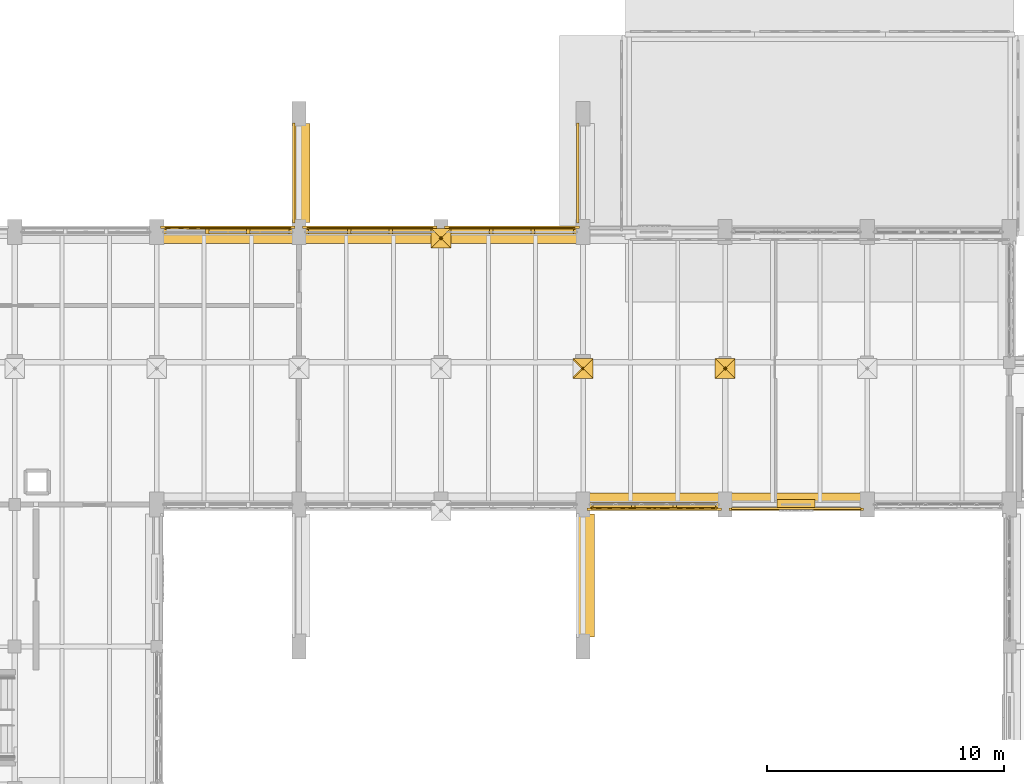
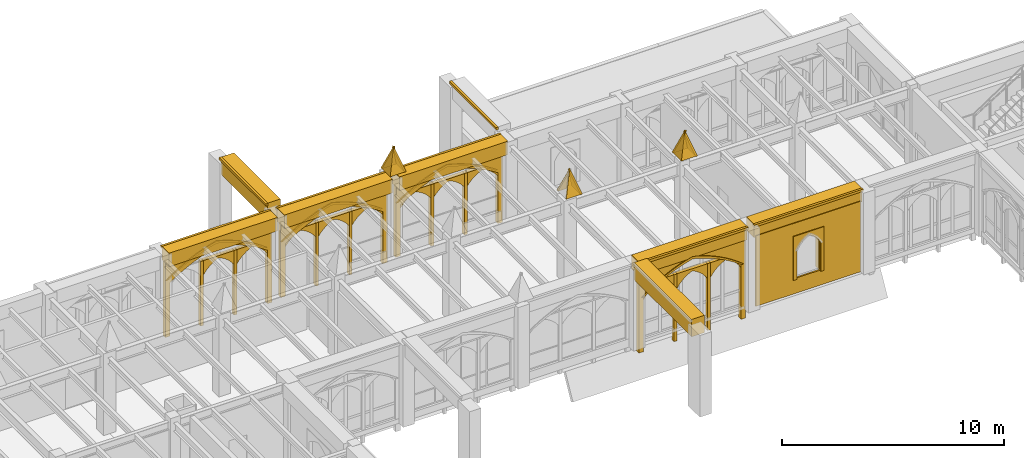
# One storey, part 132 of 143: 54 coverings.
"""IFC4 building model written with IfcOpenShell, lengths in metres."""

from ifc_helpers import new_model, si_unit, direction, frame, origin, origin_2d, place, context, subcontext, project, spatial, polyline, rectangle, outline, extrude, material, type_object, element, save


model = new_model("IFC4")

# Units and contexts
model_context = context("Model", 3, precision=1e-05, world=origin(), true_north=direction((0.0, 1.0)))
body_context = subcontext(model_context, "Body", "Model", "MODEL_VIEW")
ifc_project = project(units=[si_unit("LENGTHUNIT", "METRE"), si_unit("AREAUNIT", "SQUARE_METRE"), si_unit("VOLUMEUNIT", "CUBIC_METRE"), si_unit("PLANEANGLEUNIT", "RADIAN"), si_unit("MASSUNIT", "GRAM", prefix="KILO")], contexts=[model_context])

# Site, building, storey
site_placement = place(None, origin())
site = spatial("IfcSite", under=ifc_project, at=site_placement, CompositionType="ELEMENT")
building_placement = place(site_placement, origin())
building = spatial("IfcBuilding", under=site, at=building_placement, Name="Cumevento Cable Car Station", CompositionType="ELEMENT")
storey_placement = place(building_placement, frame((0.0, 0.0, 9.0)))
storey = spatial("IfcBuildingStorey", under=building, at=storey_placement, Name="L03", CompositionType="ELEMENT", Elevation=9.0)

# Coverings
ifc_material = material(Name="Gnaisse Facoidal Stone Ashlar 85 MPa", Category="masonry")
covering_type = type_object("IfcCoveringType", Name="Gnaisse Ashlar Cladding CV-CL01", PredefinedType="CLADDING", material=ifc_material)
for number, where, z_axis, x_axis, name in (
    (1, (93.580078125, 56.659912109375, 4.8701171875), (0.0, 0.951573760476, 0.30742052367), (1.0, 0.0, 0.0), "Gothic Buttress Pinnacle Spire Facet 1 bt:94.0:56.5"),
    (2, (94.419921875, 56.659912109375, 4.8701171875), (0.951573760476, 0.0, 0.30742052367), (0.0, -1.0, 0.0), "Gothic Buttress Pinnacle Spire Facet 2 bt:94.0:56.5"),
    (3, (94.419921875, 55.820068359375, 4.8701171875), (0.0, -0.951573760476, 0.30742052367), (-1.0, 0.0, 0.0), "Gothic Buttress Pinnacle Spire Facet 3 bt:94.0:56.5"),
    (4, (93.580078125, 55.820068359375, 4.8701171875), (-0.951573760476, 0.0, 0.30742052367), (0.0, 1.0, 0.0), "Gothic Buttress Pinnacle Spire Facet 4 bt:94.0:56.5"),
    (5, (99.580078125, 51.159912109375, 4.8701171875), (0.0, 0.951573760476, 0.30742052367), (1.0, 0.0, 0.0), "Gothic Buttress Pinnacle Spire Facet 1 bt:100.0:51.0"),
    (6, (100.419921875, 51.159912109375, 4.8701171875), (0.951573760476, 0.0, 0.30742052367), (0.0, -1.0, 0.0), "Gothic Buttress Pinnacle Spire Facet 2 bt:100.0:51.0"),
    (7, (100.419921875, 50.320068359375, 4.8701171875), (0.0, -0.951573760476, 0.30742052367), (-1.0, 0.0, 0.0), "Gothic Buttress Pinnacle Spire Facet 3 bt:100.0:51.0"),
    (8, (105.580078125, 51.159912109375, 4.8701171875), (0.0, 0.951573760476, 0.30742052367), (1.0, 0.0, 0.0), "Gothic Buttress Pinnacle Spire Facet 1 bt:106.0:51.0"),
    (9, (106.419921875, 51.159912109375, 4.8701171875), (0.951573760476, 0.0, 0.30742052367), (0.0, -1.0, 0.0), "Gothic Buttress Pinnacle Spire Facet 2 bt:106.0:51.0"),
    (10, (106.419921875, 50.320068359375, 4.8701171875), (0.0, -0.951573760476, 0.30742052367), (-1.0, 0.0, 0.0), "Gothic Buttress Pinnacle Spire Facet 3 bt:106.0:51.0"),
    (11, (105.580078125, 50.320068359375, 4.8701171875), (-0.951573760476, 0.0, 0.30742052367), (0.0, 1.0, 0.0), "Gothic Buttress Pinnacle Spire Facet 4 bt:106.0:51.0"),
):
    element("IfcCovering", number, at=place(storey_placement, frame(where, z_axis=z_axis, x_axis=x_axis)), inside=storey, type_object=covering_type, Name=name, PredefinedType="CLADDING", context=body_context, shape_type="SweptSolid", body=[
        extrude(outline(polyline([(0.0, 0.0), (0.83984375, 0.0), (0.419921875, -1.3659526370817139), (0.0, 0.0)])), origin(), (0.0, 0.0, -1.0), 0.0849609375),
    ])
covering_1_placement = place(storey_placement, frame((85.0, 56.35009765625, 3.784912109375), z_axis=(0.0, 0.0, 1.0), x_axis=(1.0, 0.0, 0.0)))
element("IfcCovering", 12, at=covering_1_placement, inside=storey, type_object=covering_type, Name="Gothic Stone Spandrel Stringcourse sc:0646", PredefinedType="CLADDING", context=body_context, shape_type="SweptSolid", body=[
    extrude(rectangle(XDim=5.639892578125, YDim=0.659912109375, at=origin_2d()), origin(), (0.0, 0.0, 1.0), 0.7470703125),
])
covering_2_placement = place(storey_placement, frame((85.0, 56.70751953125, 4.402099609375), z_axis=(0.0, 0.0, 1.0), x_axis=(1.0, 0.0, 0.0)))
element("IfcCovering", 13, at=covering_2_placement, inside=storey, type_object=covering_type, Name="Gothic Cornice Dripstone Lip sc:0646", PredefinedType="CLADDING", context=body_context, shape_type="SweptSolid", body=[
    extrude(rectangle(XDim=5.679931640625, YDim=0.114990234375, at=origin_2d()), origin(), (0.0, 0.0, 1.0), 0.1298828125),
])
covering_3_placement = place(storey_placement, frame((103.0, 45.14990234375, 3.784912109375), z_axis=(0.0, 0.0, 1.0), x_axis=(-1.0, 0.0, 0.0)))
element("IfcCovering", 14, at=covering_3_placement, inside=storey, type_object=covering_type, Name="Gothic Stone Spandrel Stringcourse sc:0649", PredefinedType="CLADDING", context=body_context, shape_type="SweptSolid", body=[
    extrude(rectangle(XDim=5.639892578125, YDim=0.659912109375, at=origin_2d()), origin(), (0.0, 0.0, 1.0), 0.7470703125),
])
covering_4_placement = place(storey_placement, frame((103.0, 44.79248046875, 4.402099609375), z_axis=(0.0, 0.0, 1.0), x_axis=(-1.0, 0.0, 0.0)))
element("IfcCovering", 15, at=covering_4_placement, inside=storey, type_object=covering_type, Name="Gothic Cornice Dripstone Lip sc:0649", PredefinedType="CLADDING", context=body_context, shape_type="SweptSolid", body=[
    extrude(rectangle(XDim=5.679931640625, YDim=0.114990234375, at=origin_2d()), origin(), (0.0, 0.0, 1.0), 0.1298828125),
])
covering_5_placement = place(storey_placement, frame((109.0, 45.14990234375, 3.784912109375), z_axis=(0.0, 0.0, 1.0), x_axis=(-1.0, 0.0, 0.0)))
element("IfcCovering", 16, at=covering_5_placement, inside=storey, type_object=covering_type, Name="Gothic Stone Spandrel Stringcourse sc:0650", PredefinedType="CLADDING", context=body_context, shape_type="SweptSolid", body=[
    extrude(rectangle(XDim=5.639892578125, YDim=0.659912109375, at=origin_2d()), origin(), (0.0, 0.0, 1.0), 0.7470703125),
])
covering_6_placement = place(storey_placement, frame((109.0, 44.79248046875, 4.402099609375), z_axis=(0.0, 0.0, 1.0), x_axis=(-1.0, 0.0, 0.0)))
element("IfcCovering", 17, at=covering_6_placement, inside=storey, type_object=covering_type, Name="Gothic Cornice Dripstone Lip sc:0650", PredefinedType="CLADDING", context=body_context, shape_type="SweptSolid", body=[
    extrude(rectangle(XDim=5.679931640625, YDim=0.114990234375, at=origin_2d()), origin(), (0.0, 0.0, 1.0), 0.1298828125),
])
covering_7_placement = place(storey_placement, frame((91.0, 56.35009765625, 3.784912109375), z_axis=(0.0, 0.0, 1.0), x_axis=(1.0, 0.0, 0.0)))
element("IfcCovering", 18, at=covering_7_placement, inside=storey, type_object=covering_type, Name="Gothic Stone Spandrel Stringcourse sc:0652", PredefinedType="CLADDING", context=body_context, shape_type="SweptSolid", body=[
    extrude(rectangle(XDim=5.639892578125, YDim=0.659912109375, at=origin_2d()), origin(), (0.0, 0.0, 1.0), 0.7470703125),
])
covering_8_placement = place(storey_placement, frame((91.0, 56.70751953125, 4.402099609375), z_axis=(0.0, 0.0, 1.0), x_axis=(1.0, 0.0, 0.0)))
element("IfcCovering", 19, at=covering_8_placement, inside=storey, type_object=covering_type, Name="Gothic Cornice Dripstone Lip sc:0652", PredefinedType="CLADDING", context=body_context, shape_type="SweptSolid", body=[
    extrude(rectangle(XDim=5.679931640625, YDim=0.114990234375, at=origin_2d()), origin(), (0.0, 0.0, 1.0), 0.1298828125),
])
covering_9_placement = place(storey_placement, frame((97.0, 56.35009765625, 3.784912109375), z_axis=(0.0, 0.0, 1.0), x_axis=(1.0, 0.0, 0.0)))
element("IfcCovering", 20, at=covering_9_placement, inside=storey, type_object=covering_type, Name="Gothic Stone Spandrel Stringcourse sc:0653", PredefinedType="CLADDING", context=body_context, shape_type="SweptSolid", body=[
    extrude(rectangle(XDim=5.639892578125, YDim=0.659912109375, at=origin_2d()), origin(), (0.0, 0.0, 1.0), 0.7470703125),
])
covering_10_placement = place(storey_placement, frame((97.0, 56.70751953125, 4.402099609375), z_axis=(0.0, 0.0, 1.0), x_axis=(1.0, 0.0, 0.0)))
element("IfcCovering", 21, at=covering_10_placement, inside=storey, type_object=covering_type, Name="Gothic Cornice Dripstone Lip sc:0653", PredefinedType="CLADDING", context=body_context, shape_type="SweptSolid", body=[
    extrude(rectangle(XDim=5.679931640625, YDim=0.114990234375, at=origin_2d()), origin(), (0.0, 0.0, 1.0), 0.1298828125),
])
covering_11_placement = place(storey_placement, frame((88.14306640625, 59.0, 3.83203125), z_axis=(0.0, 0.0, 1.0), x_axis=(0.0, 1.0, 0.0)))
element("IfcCovering", 22, at=covering_11_placement, inside=storey, type_object=covering_type, Name="Gothic Stone Spandrel Stringcourse sc:0858", PredefinedType="CLADDING", context=body_context, shape_type="SweptSolid", body=[
    extrude(rectangle(XDim=4.18994140625, YDim=0.674072265625, at=origin_2d()), origin(), (0.0, 0.0, 1.0), 0.947998046875),
])
for number, where, z_axis, x_axis, name in (
    (23, (87.778564453125, 59.0, 4.650146484375), (0.0, 0.0, 1.0), (0.0, 1.0, 0.0), "Gothic Cornice Dripstone Lip sc:0858"),
    (24, (99.778564453125, 59.0, 4.650146484375), (0.0, 0.0, 1.0), (0.0, 1.0, 0.0), "Gothic Cornice Dripstone Lip sc:0859"),
):
    element("IfcCovering", number, at=place(storey_placement, frame(where, z_axis=z_axis, x_axis=x_axis)), inside=storey, type_object=covering_type, Name=name, PredefinedType="CLADDING", context=body_context, shape_type="SweptSolid", body=[
        extrude(rectangle(XDim=4.22998046875, YDim=0.114990234375, at=origin_2d()), origin(), (0.0, 0.0, 1.0), 0.1298828125),
    ])
covering_12_placement = place(storey_placement, frame((100.14306640625, 42.0, 3.83203125), z_axis=(0.0, 0.0, 1.0), x_axis=(0.0, 1.0, 0.0)))
element("IfcCovering", 25, at=covering_12_placement, inside=storey, type_object=covering_type, Name="Gothic Stone Spandrel Stringcourse sc:0869", PredefinedType="CLADDING", context=body_context, shape_type="SweptSolid", body=[
    extrude(rectangle(XDim=5.18994140625, YDim=0.674072265625, at=origin_2d()), origin(), (0.0, 0.0, 1.0), 0.947998046875),
])
placement_1 = place(storey_placement, frame((82.300048828125, 56.5, -0.3701171875), z_axis=(0.0, 0.0, 1.0), x_axis=(1.0, 0.0, 0.0)))
element("IfcCovering", 26, at=placement_1, inside=storey, type_object=covering_type, Name="Gothic Ogival Pointed-Arch Stone Spandrel cw_ogival:0107", PredefinedType="CLADDING", context=body_context, shape_type="SweptSolid", body=[
    extrude(outline(polyline([(-0.080078125, 0.0), (-0.080078125, 4.294921875), (5.47998046875, 4.294921875), (5.47998046875, 0.0), (5.239990234375, 0.0), (5.239990234375, 2.9423828125), (4.94970703125, 3.1396484375), (4.650390625, 3.32275390625), (4.342529296875, 3.49072265625), (4.026611328125, 3.6435546875), (3.70361328125, 3.780517578125), (3.374267578125, 3.90185546875), (3.03955078125, 4.006591796875), (2.699951171875, 4.094970703125), (2.3603515625, 4.006591796875), (2.025634765625, 3.90185546875), (1.6962890625, 3.780517578125), (1.373291015625, 3.6435546875), (1.057373046875, 3.49072265625), (0.74951171875, 3.32275390625), (0.4501953125, 3.1396484375), (0.159912109375, 2.9423828125), (0.159912109375, 0.0), (-0.080078125, 0.0)])), frame((0.0, 0.139892578125, 0.0), z_axis=(0.0, -1.0, 0.0), x_axis=(1.0, 0.0, 0.0)), (0.0, 0.0, 1.0), 0.219970703125),
])
covering_14_placement = place(storey_placement, frame((82.300048828125, 56.5, 2.572509765625), z_axis=(0.0, 0.0, 1.0), x_axis=(1.0, 0.0, 0.0)))
element("IfcCovering", 27, at=covering_14_placement, inside=storey, type_object=covering_type, Name="Gothic Pointed Archivolt Hood Moulding cw_ogival:0107", PredefinedType="CLADDING", context=body_context, shape_type="SweptSolid", body=[
    extrude(outline(polyline([(0.159912109375, 0.0), (0.4501953125, 0.197265625), (0.74951171875, 0.38037109375), (1.057373046875, 0.54833984375), (1.373291015625, 0.701171875), (1.6962890625, 0.838134765625), (2.025634765625, 0.95947265625), (2.3603515625, 1.064208984375), (2.699951171875, 1.152587890625), (3.03955078125, 1.064208984375), (3.374267578125, 0.95947265625), (3.70361328125, 0.838134765625), (4.026611328125, 0.701171875), (4.342529296875, 0.54833984375), (4.650390625, 0.38037109375), (4.94970703125, 0.197265625), (5.239990234375, 0.0), (5.35009765625, 0.0), (5.05126953125, 0.22021484375), (4.741455078125, 0.424560546875), (4.421630859375, 0.612548828125), (4.09228515625, 0.78369140625), (3.754638671875, 0.937255859375), (3.409423828125, 1.0732421875), (3.057373046875, 1.19091796875), (2.699951171875, 1.2900390625), (2.342529296875, 1.19091796875), (1.990478515625, 1.0732421875), (1.645263671875, 0.937255859375), (1.3076171875, 0.78369140625), (0.978271484375, 0.612548828125), (0.658447265625, 0.424560546875), (0.3486328125, 0.22021484375), (0.050048828125, 0.0), (0.159912109375, 0.0)])), frame((0.0, 0.181884765625, 0.0), z_axis=(0.0, -1.0, 0.0), x_axis=(1.0, 0.0, 0.0)), (0.0, 0.0, 1.0), 0.06689453125),
])
element("IfcCovering", 28, at=placement_1, inside=storey, type_object=covering_type, Name="Gothic Bifora Stone Colonnette cw_ogival:0107 #1", PredefinedType="CLADDING", context=body_context, shape_type="SweptSolid", body=[
    extrude(outline(polyline([(1.75341796875, -0.02001953125), (1.9033203125, -0.02001953125), (1.9033203125, 3.541748046875), (1.75341796875, 3.541748046875), (1.75341796875, -0.02001953125)])), frame((0.0, 0.1279296875, 0.0), z_axis=(0.0, -1.0, 0.0), x_axis=(1.0, 0.0, 0.0)), (0.0, 0.0, 1.0), 0.205078125),
])
element("IfcCovering", 29, at=placement_1, inside=storey, type_object=covering_type, Name="Gothic Bifora Stone Colonnette cw_ogival:0107 #2", PredefinedType="CLADDING", context=body_context, shape_type="SweptSolid", body=[
    extrude(outline(polyline([(3.49658203125, -0.02001953125), (3.646728515625, -0.02001953125), (3.646728515625, 3.541748046875), (3.49658203125, 3.541748046875), (3.49658203125, -0.02001953125)])), frame((0.0, 0.1279296875, 0.0), z_axis=(0.0, -1.0, 0.0), x_axis=(1.0, 0.0, 0.0)), (0.0, 0.0, 1.0), 0.205078125),
])
for number, where, z_axis, x_axis, name in (
    (30, (84.17333984375, 56.5, 2.392333984375), (0.0, 0.0, 1.0), (1.0, 0.0, 0.0), "Gothic Ogival Pointed-Arch Stone Spandrel cw_ogival:0107:sub:1"),
    (31, (85.916748046875, 56.5, 2.392333984375), (0.0, 0.0, 1.0), (1.0, 0.0, 0.0), "Gothic Ogival Pointed-Arch Stone Spandrel cw_ogival:0107:sub:2"),
):
    element("IfcCovering", number, at=place(storey_placement, frame(where, z_axis=z_axis, x_axis=x_axis)), inside=storey, type_object=covering_type, Name=name, PredefinedType="CLADDING", context=body_context, shape_type="SweptSolid", body=[
        extrude(outline(polyline([(-0.02001953125, 0.0), (-0.02001953125, 0.779296875), (1.67333984375, 0.779296875), (1.67333984375, 0.0), (1.61328125, 0.0), (1.51416015625, 0.14306640625), (1.400390625, 0.274658203125), (1.2734375, 0.393310546875), (1.13427734375, 0.497802734375), (0.98486328125, 0.5869140625), (0.82666015625, 0.659423828125), (0.66845703125, 0.5869140625), (0.51904296875, 0.497802734375), (0.3798828125, 0.393310546875), (0.2529296875, 0.274658203125), (0.13916015625, 0.14306640625), (0.0400390625, 0.0), (-0.02001953125, 0.0)])), frame((0.0, 0.1240234375, 0.0), z_axis=(0.0, -1.0, 0.0), x_axis=(1.0, 0.0, 0.0)), (0.0, 0.0, 1.0), 0.199951171875),
    ])
placement_2 = place(storey_placement, frame((88.300048828125, 56.5, -0.27001953125), z_axis=(0.0, 0.0, 1.0), x_axis=(1.0, 0.0, 0.0)))
element("IfcCovering", 32, at=placement_2, inside=storey, type_object=covering_type, Name="Gothic Ogival Pointed-Arch Stone Spandrel cw_ogival:0109", PredefinedType="CLADDING", context=body_context, shape_type="SweptSolid", body=[
    extrude(outline(polyline([(-0.080078125, 0.0), (-0.080078125, 4.195068359375), (5.47998046875, 4.195068359375), (5.47998046875, 0.0), (5.239990234375, 0.0), (5.239990234375, 2.87841796875), (4.9482421875, 3.06982421875), (4.647705078125, 3.247314453125), (4.339111328125, 3.41015625), (4.023193359375, 3.55810546875), (3.70068359375, 3.69091796875), (3.3720703125, 3.80810546875), (3.0380859375, 3.90966796875), (2.699951171875, 3.9951171875), (2.36181640625, 3.90966796875), (2.02783203125, 3.80810546875), (1.69921875, 3.69091796875), (1.376708984375, 3.55810546875), (1.060791015625, 3.41015625), (0.752197265625, 3.247314453125), (0.45166015625, 3.06982421875), (0.159912109375, 2.87841796875), (0.159912109375, 0.0), (-0.080078125, 0.0)])), frame((0.0, 0.139892578125, 0.0), z_axis=(0.0, -1.0, 0.0), x_axis=(1.0, 0.0, 0.0)), (0.0, 0.0, 1.0), 0.219970703125),
])
covering_18_placement = place(storey_placement, frame((88.300048828125, 56.5, 2.6083984375), z_axis=(0.0, 0.0, 1.0), x_axis=(1.0, 0.0, 0.0)))
element("IfcCovering", 33, at=covering_18_placement, inside=storey, type_object=covering_type, Name="Gothic Pointed Archivolt Hood Moulding cw_ogival:0109", PredefinedType="CLADDING", context=body_context, shape_type="SweptSolid", body=[
    extrude(outline(polyline([(0.159912109375, 0.0), (0.45166015625, 0.19140625), (0.752197265625, 0.368896484375), (1.060791015625, 0.53173828125), (1.376708984375, 0.6796875), (1.69921875, 0.8125), (2.02783203125, 0.9296875), (2.36181640625, 1.03125), (2.699951171875, 1.11669921875), (3.0380859375, 1.03125), (3.3720703125, 0.9296875), (3.70068359375, 0.8125), (4.023193359375, 0.6796875), (4.339111328125, 0.53173828125), (4.647705078125, 0.368896484375), (4.9482421875, 0.19140625), (5.239990234375, 0.0), (5.35009765625, 0.0), (5.049560546875, 0.21435546875), (4.73876953125, 0.4130859375), (4.418212890625, 0.595947265625), (4.0888671875, 0.76220703125), (3.75146484375, 0.91162109375), (3.406982421875, 1.04345703125), (3.05615234375, 1.15771484375), (2.699951171875, 1.254150390625), (2.34375, 1.15771484375), (1.992919921875, 1.04345703125), (1.6484375, 0.91162109375), (1.31103515625, 0.76220703125), (0.981689453125, 0.595947265625), (0.6611328125, 0.4130859375), (0.350341796875, 0.21435546875), (0.050048828125, 0.0), (0.159912109375, 0.0)])), frame((0.0, 0.181884765625, 0.0), z_axis=(0.0, -1.0, 0.0), x_axis=(1.0, 0.0, 0.0)), (0.0, 0.0, 1.0), 0.06689453125),
])
element("IfcCovering", 34, at=placement_2, inside=storey, type_object=covering_type, Name="Gothic Bifora Stone Colonnette cw_ogival:0109 #1", PredefinedType="CLADDING", context=body_context, shape_type="SweptSolid", body=[
    extrude(outline(polyline([(1.75341796875, -0.02001953125), (1.9033203125, -0.02001953125), (1.9033203125, 3.458984375), (1.75341796875, 3.458984375), (1.75341796875, -0.02001953125)])), frame((0.0, 0.1279296875, 0.0), z_axis=(0.0, -1.0, 0.0), x_axis=(1.0, 0.0, 0.0)), (0.0, 0.0, 1.0), 0.205078125),
])
element("IfcCovering", 35, at=placement_2, inside=storey, type_object=covering_type, Name="Gothic Bifora Stone Colonnette cw_ogival:0109 #2", PredefinedType="CLADDING", context=body_context, shape_type="SweptSolid", body=[
    extrude(outline(polyline([(3.49658203125, -0.02001953125), (3.646728515625, -0.02001953125), (3.646728515625, 3.458984375), (3.49658203125, 3.458984375), (3.49658203125, -0.02001953125)])), frame((0.0, 0.1279296875, 0.0), z_axis=(0.0, -1.0, 0.0), x_axis=(1.0, 0.0, 0.0)), (0.0, 0.0, 1.0), 0.205078125),
])
for number, where, z_axis, x_axis, name in (
    (36, (88.429931640625, 56.5, 2.428466796875), (0.0, 0.0, 1.0), (1.0, 0.0, 0.0), "Gothic Ogival Pointed-Arch Stone Spandrel cw_ogival:0109:sub:0"),
    (37, (90.17333984375, 56.5, 2.428466796875), (0.0, 0.0, 1.0), (1.0, 0.0, 0.0), "Gothic Ogival Pointed-Arch Stone Spandrel cw_ogival:0109:sub:1"),
    (38, (91.916748046875, 56.5, 2.428466796875), (0.0, 0.0, 1.0), (1.0, 0.0, 0.0), "Gothic Ogival Pointed-Arch Stone Spandrel cw_ogival:0109:sub:2"),
):
    element("IfcCovering", number, at=place(storey_placement, frame(where, z_axis=z_axis, x_axis=x_axis)), inside=storey, type_object=covering_type, Name=name, PredefinedType="CLADDING", context=body_context, shape_type="SweptSolid", body=[
        extrude(outline(polyline([(-0.02001953125, 0.0), (-0.02001953125, 0.760498046875), (1.67333984375, 0.760498046875), (1.67333984375, 0.0), (1.61328125, 0.0), (1.5126953125, 0.139404296875), (1.398193359375, 0.267333984375), (1.270751953125, 0.382568359375), (1.132080078125, 0.484130859375), (0.9833984375, 0.5703125), (0.82666015625, 0.640625), (0.669921875, 0.5703125), (0.521240234375, 0.484130859375), (0.382568359375, 0.382568359375), (0.255126953125, 0.267333984375), (0.140625, 0.139404296875), (0.0400390625, 0.0), (-0.02001953125, 0.0)])), frame((0.0, 0.1240234375, 0.0), z_axis=(0.0, -1.0, 0.0), x_axis=(1.0, 0.0, 0.0)), (0.0, 0.0, 1.0), 0.199951171875),
    ])
placement_3 = place(storey_placement, frame((94.300048828125, 56.5, -0.159912109375), z_axis=(0.0, 0.0, 1.0), x_axis=(1.0, 0.0, 0.0)))
element("IfcCovering", 39, at=placement_3, inside=storey, type_object=covering_type, Name="Gothic Ogival Pointed-Arch Stone Spandrel cw_ogival:0111", PredefinedType="CLADDING", context=body_context, shape_type="SweptSolid", body=[
    extrude(outline(polyline([(-0.080078125, 0.0), (-0.080078125, 4.0849609375), (5.47998046875, 4.0849609375), (5.47998046875, 0.0), (5.239990234375, 0.0), (5.239990234375, 2.80810546875), (4.946533203125, 2.992919921875), (4.64501953125, 3.164306640625), (4.335693359375, 3.3212890625), (4.019775390625, 3.464111328125), (3.697509765625, 3.591796875), (3.36962890625, 3.705078125), (3.036865234375, 3.802490234375), (2.699951171875, 3.885009765625), (2.363037109375, 3.802490234375), (2.0302734375, 3.705078125), (1.702392578125, 3.591796875), (1.380126953125, 3.464111328125), (1.064208984375, 3.3212890625), (0.7548828125, 3.164306640625), (0.453369140625, 2.992919921875), (0.159912109375, 2.80810546875), (0.159912109375, 0.0), (-0.080078125, 0.0)])), frame((0.0, 0.139892578125, 0.0), z_axis=(0.0, -1.0, 0.0), x_axis=(1.0, 0.0, 0.0)), (0.0, 0.0, 1.0), 0.219970703125),
])
covering_22_placement = place(storey_placement, frame((94.300048828125, 56.5, 2.64794921875), z_axis=(0.0, 0.0, 1.0), x_axis=(1.0, 0.0, 0.0)))
element("IfcCovering", 40, at=covering_22_placement, inside=storey, type_object=covering_type, Name="Gothic Pointed Archivolt Hood Moulding cw_ogival:0111", PredefinedType="CLADDING", context=body_context, shape_type="SweptSolid", body=[
    extrude(outline(polyline([(0.159912109375, 0.0), (0.453369140625, 0.184814453125), (0.7548828125, 0.356201171875), (1.064208984375, 0.51318359375), (1.380126953125, 0.656005859375), (1.702392578125, 0.783935546875), (2.0302734375, 0.89697265625), (2.363037109375, 0.99462890625), (2.699951171875, 1.076904296875), (3.036865234375, 0.99462890625), (3.36962890625, 0.89697265625), (3.697509765625, 0.783935546875), (4.019775390625, 0.656005859375), (4.335693359375, 0.51318359375), (4.64501953125, 0.356201171875), (4.946533203125, 0.184814453125), (5.239990234375, 0.0), (5.35009765625, 0.0), (5.0478515625, 0.2080078125), (4.73583984375, 0.400634765625), (4.41455078125, 0.57763671875), (4.085205078125, 0.738525390625), (3.748046875, 0.883056640625), (3.404296875, 1.0107421875), (3.0546875, 1.121337890625), (2.699951171875, 1.214599609375), (2.34521484375, 1.121337890625), (1.99560546875, 1.0107421875), (1.65185546875, 0.883056640625), (1.314697265625, 0.738525390625), (0.9853515625, 0.57763671875), (0.6640625, 0.400634765625), (0.35205078125, 0.2080078125), (0.050048828125, 0.0), (0.159912109375, 0.0)])), frame((0.0, 0.181884765625, 0.0), z_axis=(0.0, -1.0, 0.0), x_axis=(1.0, 0.0, 0.0)), (0.0, 0.0, 1.0), 0.06689453125),
])
element("IfcCovering", 41, at=placement_3, inside=storey, type_object=covering_type, Name="Gothic Bifora Stone Colonnette cw_ogival:0111 #1", PredefinedType="CLADDING", context=body_context, shape_type="SweptSolid", body=[
    extrude(outline(polyline([(1.75341796875, -0.02001953125), (1.9033203125, -0.02001953125), (1.9033203125, 3.367919921875), (1.75341796875, 3.367919921875), (1.75341796875, -0.02001953125)])), frame((0.0, 0.1279296875, 0.0), z_axis=(0.0, -1.0, 0.0), x_axis=(1.0, 0.0, 0.0)), (0.0, 0.0, 1.0), 0.205078125),
])
element("IfcCovering", 42, at=placement_3, inside=storey, type_object=covering_type, Name="Gothic Bifora Stone Colonnette cw_ogival:0111 #2", PredefinedType="CLADDING", context=body_context, shape_type="SweptSolid", body=[
    extrude(outline(polyline([(3.49658203125, -0.02001953125), (3.646728515625, -0.02001953125), (3.646728515625, 3.367919921875), (3.49658203125, 3.367919921875), (3.49658203125, -0.02001953125)])), frame((0.0, 0.1279296875, 0.0), z_axis=(0.0, -1.0, 0.0), x_axis=(1.0, 0.0, 0.0)), (0.0, 0.0, 1.0), 0.205078125),
])
for number, where, z_axis, x_axis, name in (
    (43, (94.429931640625, 56.5, 2.468017578125), (0.0, 0.0, 1.0), (1.0, 0.0, 0.0), "Gothic Ogival Pointed-Arch Stone Spandrel cw_ogival:0111:sub:0"),
    (44, (96.17333984375, 56.5, 2.468017578125), (0.0, 0.0, 1.0), (1.0, 0.0, 0.0), "Gothic Ogival Pointed-Arch Stone Spandrel cw_ogival:0111:sub:1"),
    (45, (97.916748046875, 56.5, 2.468017578125), (0.0, 0.0, 1.0), (1.0, 0.0, 0.0), "Gothic Ogival Pointed-Arch Stone Spandrel cw_ogival:0111:sub:2"),
):
    element("IfcCovering", number, at=place(storey_placement, frame(where, z_axis=z_axis, x_axis=x_axis)), inside=storey, type_object=covering_type, Name=name, PredefinedType="CLADDING", context=body_context, shape_type="SweptSolid", body=[
        extrude(outline(polyline([(-0.02001953125, 0.0), (-0.02001953125, 0.739990234375), (1.67333984375, 0.739990234375), (1.67333984375, 0.0), (1.61328125, 0.0), (1.510986328125, 0.13525390625), (1.3955078125, 0.25927734375), (1.26806640625, 0.370849609375), (1.129638671875, 0.46875), (0.98193359375, 0.55224609375), (0.82666015625, 0.6201171875), (0.67138671875, 0.55224609375), (0.523681640625, 0.46875), (0.38525390625, 0.370849609375), (0.2578125, 0.25927734375), (0.142333984375, 0.13525390625), (0.0400390625, 0.0), (-0.02001953125, 0.0)])), frame((0.0, 0.1240234375, 0.0), z_axis=(0.0, -1.0, 0.0), x_axis=(1.0, 0.0, 0.0)), (0.0, 0.0, 1.0), 0.199951171875),
    ])
placement_4 = place(storey_placement, frame((105.699951171875, 45.0, -0.52001953125), z_axis=(0.0, 0.0, 1.0), x_axis=(-1.0, 0.0, 0.0)))
element("IfcCovering", 46, at=placement_4, inside=storey, type_object=covering_type, Name="Gothic Ogival Pointed-Arch Stone Spandrel cw_ogival:0112", PredefinedType="CLADDING", context=body_context, shape_type="SweptSolid", body=[
    extrude(outline(polyline([(-0.080078125, 0.0), (-0.080078125, 4.445068359375), (5.47998046875, 4.445068359375), (5.47998046875, 0.0), (5.239990234375, 0.0), (5.239990234375, 3.038330078125), (4.9521484375, 3.24462890625), (4.654541015625, 3.435791015625), (4.347412109375, 3.611572265625), (4.03173828125, 3.771728515625), (3.708251953125, 3.915283203125), (3.3779296875, 4.042236328125), (3.04150390625, 4.15234375), (2.699951171875, 4.244873046875), (2.3583984375, 4.15234375), (2.02197265625, 4.042236328125), (1.691650390625, 3.915283203125), (1.3681640625, 3.771728515625), (1.052490234375, 3.611572265625), (0.745361328125, 3.435791015625), (0.44775390625, 3.24462890625), (0.159912109375, 3.038330078125), (0.159912109375, 0.0), (-0.080078125, 0.0)])), frame((0.0, 0.139892578125, 0.0), z_axis=(0.0, -1.0, 0.0), x_axis=(1.0, 0.0, 0.0)), (0.0, 0.0, 1.0), 0.219970703125),
])
covering_26_placement = place(storey_placement, frame((105.699951171875, 45.0, 2.518310546875), z_axis=(0.0, 0.0, 1.0), x_axis=(-1.0, 0.0, 0.0)))
element("IfcCovering", 47, at=covering_26_placement, inside=storey, type_object=covering_type, Name="Gothic Pointed Archivolt Hood Moulding cw_ogival:0112", PredefinedType="CLADDING", context=body_context, shape_type="SweptSolid", body=[
    extrude(outline(polyline([(0.159912109375, 0.0), (0.44775390625, 0.206298828125), (0.745361328125, 0.3974609375), (1.052490234375, 0.5732421875), (1.3681640625, 0.7333984375), (1.691650390625, 0.876953125), (2.02197265625, 1.00390625), (2.3583984375, 1.114013671875), (2.699951171875, 1.20654296875), (3.04150390625, 1.114013671875), (3.3779296875, 1.00390625), (3.708251953125, 0.876953125), (4.03173828125, 0.7333984375), (4.347412109375, 0.5732421875), (4.654541015625, 0.3974609375), (4.9521484375, 0.206298828125), (5.239990234375, 0.0), (5.35009765625, 0.0), (5.053955078125, 0.22900390625), (4.745849609375, 0.441650390625), (4.4267578125, 0.637451171875), (4.09765625, 0.815673828125), (3.759521484375, 0.975830078125), (3.4130859375, 1.11767578125), (3.0595703125, 1.240478515625), (2.699951171875, 1.343994140625), (2.34033203125, 1.240478515625), (1.98681640625, 1.11767578125), (1.640380859375, 0.975830078125), (1.30224609375, 0.815673828125), (0.97314453125, 0.637451171875), (0.654052734375, 0.441650390625), (0.345947265625, 0.22900390625), (0.050048828125, 0.0), (0.159912109375, 0.0)])), frame((0.0, 0.181884765625, 0.0), z_axis=(0.0, -1.0, 0.0), x_axis=(1.0, 0.0, 0.0)), (0.0, 0.0, 1.0), 0.06689453125),
])
element("IfcCovering", 48, at=placement_4, inside=storey, type_object=covering_type, Name="Gothic Bifora Stone Colonnette cw_ogival:0112 #1", PredefinedType="CLADDING", context=body_context, shape_type="SweptSolid", body=[
    extrude(outline(polyline([(1.75341796875, -0.02001953125), (1.9033203125, -0.02001953125), (1.9033203125, 3.665771484375), (1.75341796875, 3.665771484375), (1.75341796875, -0.02001953125)])), frame((0.0, 0.1279296875, 0.0), z_axis=(0.0, -1.0, 0.0), x_axis=(1.0, 0.0, 0.0)), (0.0, 0.0, 1.0), 0.205078125),
])
element("IfcCovering", 49, at=placement_4, inside=storey, type_object=covering_type, Name="Gothic Bifora Stone Colonnette cw_ogival:0112 #2", PredefinedType="CLADDING", context=body_context, shape_type="SweptSolid", body=[
    extrude(outline(polyline([(3.49658203125, -0.02001953125), (3.646728515625, -0.02001953125), (3.646728515625, 3.665771484375), (3.49658203125, 3.665771484375), (3.49658203125, -0.02001953125)])), frame((0.0, 0.1279296875, 0.0), z_axis=(0.0, -1.0, 0.0), x_axis=(1.0, 0.0, 0.0)), (0.0, 0.0, 1.0), 0.205078125),
])
for number, where, z_axis, x_axis, name in (
    (50, (105.570068359375, 45.0, 2.33837890625), (0.0, 0.0, 1.0), (-1.0, 0.0, 0.0), "Gothic Ogival Pointed-Arch Stone Spandrel cw_ogival:0112:sub:0"),
    (51, (103.82666015625, 45.0, 2.33837890625), (0.0, 0.0, 1.0), (-1.0, 0.0, 0.0), "Gothic Ogival Pointed-Arch Stone Spandrel cw_ogival:0112:sub:1"),
    (52, (102.083251953125, 45.0, 2.33837890625), (0.0, 0.0, 1.0), (-1.0, 0.0, 0.0), "Gothic Ogival Pointed-Arch Stone Spandrel cw_ogival:0112:sub:2"),
):
    element("IfcCovering", number, at=place(storey_placement, frame(where, z_axis=z_axis, x_axis=x_axis)), inside=storey, type_object=covering_type, Name=name, PredefinedType="CLADDING", context=body_context, shape_type="SweptSolid", body=[
        extrude(outline(polyline([(-0.02001953125, 0.0), (-0.02001953125, 0.807373046875), (1.67333984375, 0.807373046875), (1.67333984375, 0.0), (1.61328125, 0.0), (1.5166015625, 0.1484375), (1.404052734375, 0.285400390625), (1.27734375, 0.4091796875), (1.1376953125, 0.518310546875), (0.98681640625, 0.611572265625), (0.82666015625, 0.6875), (0.66650390625, 0.611572265625), (0.515625, 0.518310546875), (0.3759765625, 0.4091796875), (0.249267578125, 0.285400390625), (0.13671875, 0.1484375), (0.0400390625, 0.0), (-0.02001953125, 0.0)])), frame((0.0, 0.1240234375, 0.0), z_axis=(0.0, -1.0, 0.0), x_axis=(1.0, 0.0, 0.0)), (0.0, 0.0, 1.0), 0.199951171875),
    ])
covering_29_placement = place(storey_placement, frame((111.699951171875, 45.0, 0.0), z_axis=(0.0, 0.0, 1.0), x_axis=(-1.0, 0.0, 0.0)))
element("IfcCovering", 53, at=covering_29_placement, inside=storey, type_object=covering_type, Name="Exterior Gnaisse Stone Wall Ashlar #249", PredefinedType="CLADDING", context=body_context, shape_type="SweptSolid", body=[
    extrude(outline(polyline([(-0.0400390625, -0.02001953125), (5.43994140625, -0.02001953125), (5.43994140625, 3.864990234375), (-0.0400390625, 3.864990234375), (-0.0400390625, -0.02001953125)]), holes=[polyline([(2.0849609375, 0.81005859375), (3.31494140625, 0.81005859375), (3.31494140625, 2.93994140625), (2.0849609375, 2.93994140625), (2.0849609375, 0.81005859375)])]), frame((0.0, 0.215087890625, 0.0), z_axis=(0.0, -1.0, 0.0), x_axis=(1.0, 0.0, 0.0)), (0.0, 0.0, 1.0), 0.0849609375),
])
covering_30_placement = place(storey_placement, frame((109.764892578125, 45.0, 0.75), z_axis=(0.0, 0.0, 1.0), x_axis=(-1.0, 0.0, 0.0)))
element("IfcCovering", 54, at=covering_30_placement, inside=storey, type_object=covering_type, Name="Gothic Ogival Pointed-Arch Stone Spandrel op_ogival:0249:1", PredefinedType="CLADDING", context=body_context, shape_type="SweptSolid", body=[
    extrude(outline(polyline([(-0.0400390625, 0.0), (-0.0400390625, 2.419921875), (1.570068359375, 2.419921875), (1.570068359375, 0.0), (1.389892578125, 0.0), (1.389892578125, 1.597900390625), (1.332275390625, 1.71533203125), (1.262451171875, 1.826416015625), (1.181640625, 1.92919921875), (1.09033203125, 2.022705078125), (0.98974609375, 2.1064453125), (0.880859375, 2.17919921875), (0.764892578125, 2.239990234375), (0.649169921875, 2.17919921875), (0.540283203125, 2.1064453125), (0.439697265625, 2.022705078125), (0.348388671875, 1.92919921875), (0.267578125, 1.826416015625), (0.19775390625, 1.71533203125), (0.139892578125, 1.597900390625), (0.139892578125, 0.0), (-0.0400390625, 0.0)])), frame((0.0, 0.2529296875, 0.0), z_axis=(0.0, -1.0, 0.0), x_axis=(1.0, 0.0, 0.0)), (0.0, 0.0, 1.0), 0.4599609375),
])

save(model, "model.ifc")
